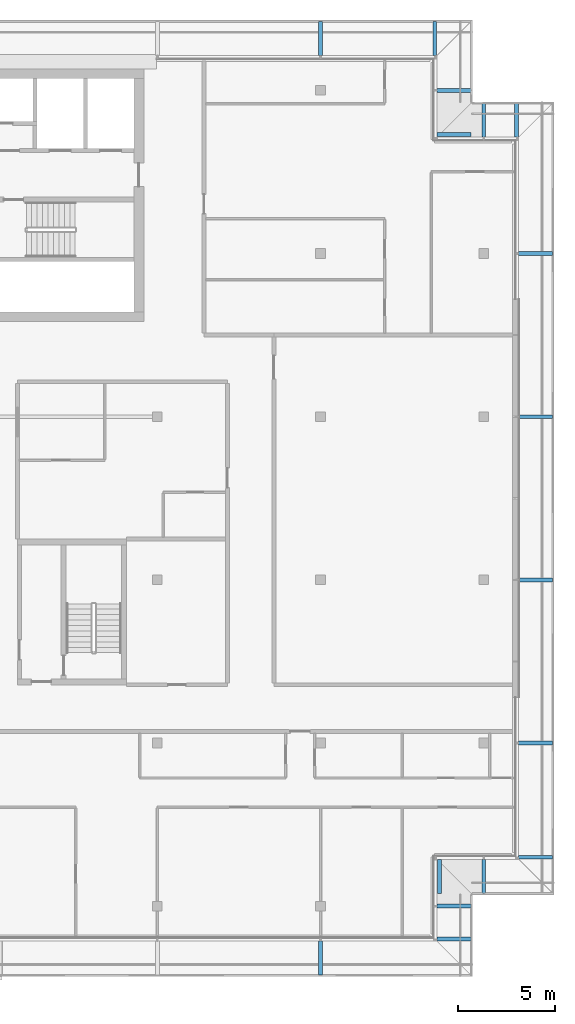
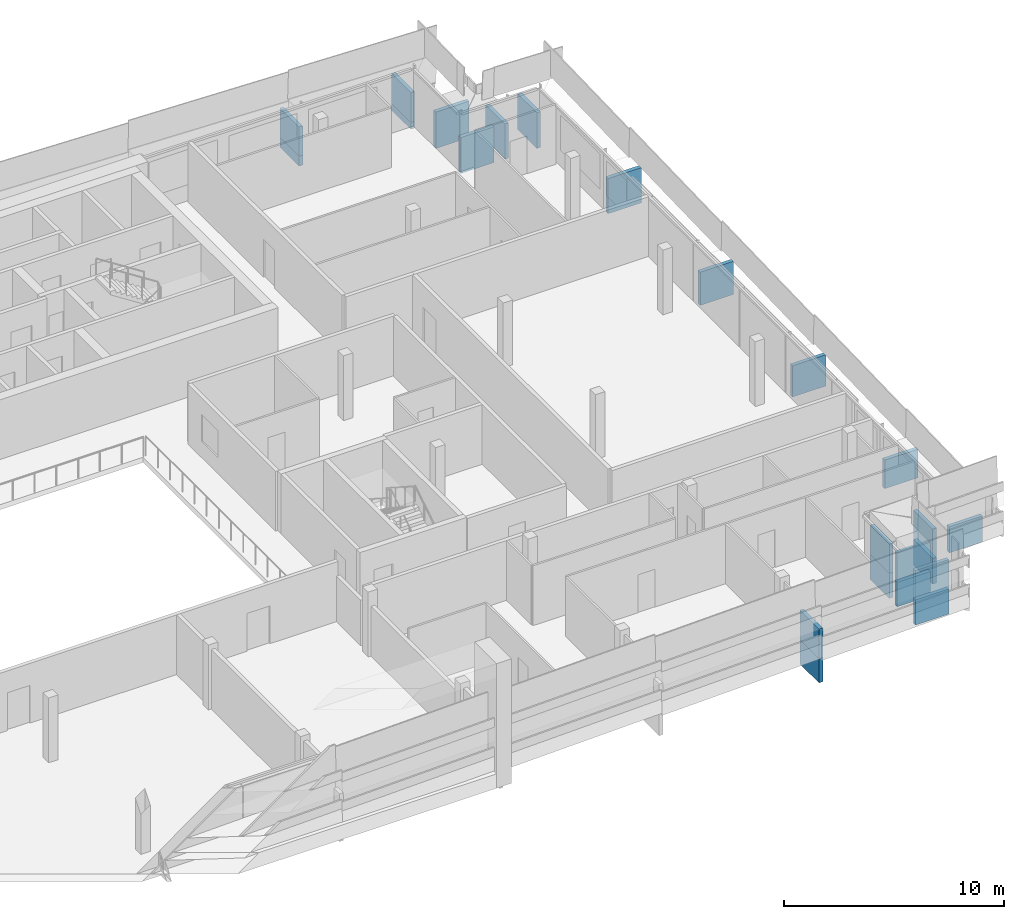
# One storey, part 24 of 33: 23 discrete accessories.
"""IFC4 building model written with IfcOpenShell, lengths in metres."""

from ifc_helpers import new_model, si_unit, direction, frame, origin, origin_2d, place, context, subcontext, project, spatial, rectangle, extrude, element, save


model = new_model("IFC4")

# Units and contexts
model_context = context("Model", 3, precision=1e-05, world=origin(), true_north=direction((0.0, 1.0)))
body_context = subcontext(model_context, "Body", "Model", "MODEL_VIEW")
ifc_project = project(units=[si_unit("LENGTHUNIT", "METRE"), si_unit("AREAUNIT", "SQUARE_METRE"), si_unit("VOLUMEUNIT", "CUBIC_METRE"), si_unit("PLANEANGLEUNIT", "RADIAN"), si_unit("MASSUNIT", "GRAM", prefix="KILO")], contexts=[model_context])

# Site, building, storey
site_placement = place(None, origin())
site = spatial("IfcSite", under=ifc_project, at=site_placement, CompositionType="ELEMENT")
building_placement = place(site_placement, origin())
building = spatial("IfcBuilding", under=site, at=building_placement, Name="Saffron Gate Tower", CompositionType="ELEMENT")
storey_placement = place(building_placement, frame((0.0, 0.0, 263.550048828125)))
storey = spatial("IfcBuildingStorey", under=building, at=storey_placement, Name="L63", CompositionType="ELEMENT", Elevation=263.550048828125)

# Discrete accessories
discrete_accessory_1_placement = place(storey_placement, frame((117.0, 29.125, -0.2802734375), z_axis=(0.0, 0.0, 1.0), x_axis=(1.0, 0.0, 0.0)))
element("IfcDiscreteAccessory", 1, at=discrete_accessory_1_placement, inside=storey, Name="LEDGE rib", PredefinedType="BRACKET", context=body_context, shape_type="SweptSolid", body=[
    extrude(rectangle(XDim=0.199951171875, YDim=1.75, at=origin_2d()), origin(), (0.0, 0.0, 1.0), 1.358154296875),
])
discrete_accessory_2_placement = place(storey_placement, frame((123.875, 30.1201171875, -0.2802734375), z_axis=(0.0, 0.0, 1.0), x_axis=(0.0, 1.0, 0.0)))
element("IfcDiscreteAccessory", 2, at=discrete_accessory_2_placement, inside=storey, Name="LEDGE rib", PredefinedType="BRACKET", context=body_context, shape_type="SweptSolid", body=[
    extrude(rectangle(XDim=0.199951171875, YDim=1.75, at=origin_2d()), origin(), (0.0, 0.0, 1.0), 1.398681640625),
])
discrete_accessory_3_placement = place(storey_placement, frame((123.875, 31.800048828125, -0.280029296875), z_axis=(0.0, 0.0, 1.0), x_axis=(0.0, 1.0, 0.0)))
element("IfcDiscreteAccessory", 3, at=discrete_accessory_3_placement, inside=storey, Name="LEDGE rib", PredefinedType="BRACKET", context=body_context, shape_type="SweptSolid", body=[
    extrude(rectangle(XDim=0.199951171875, YDim=1.75, at=origin_2d()), origin(), (0.0, 0.0, 1.0), 1.35595703125),
])
discrete_accessory_4_placement = place(storey_placement, frame((123.1201171875, 33.324951171875, -0.27978515625), z_axis=(0.0, 0.0, 1.0), x_axis=(1.0, 0.0, 0.0)))
element("IfcDiscreteAccessory", 4, at=discrete_accessory_4_placement, inside=storey, Name="LEDGE rib", PredefinedType="BRACKET", context=body_context, shape_type="SweptSolid", body=[
    extrude(rectangle(XDim=0.199951171875, YDim=1.75, at=origin_2d()), origin(), (0.0, 0.0, 1.0), 1.396728515625),
])
discrete_accessory_5_placement = place(storey_placement, frame((125.39990234375, 33.324951171875, -0.280029296875), z_axis=(0.0, 0.0, 1.0), x_axis=(1.0, 0.0, 0.0)))
element("IfcDiscreteAccessory", 5, at=discrete_accessory_5_placement, inside=storey, Name="LEDGE rib", PredefinedType="BRACKET", context=body_context, shape_type="SweptSolid", body=[
    extrude(rectangle(XDim=0.199951171875, YDim=1.75, at=origin_2d()), origin(), (0.0, 0.0, 1.0), 1.42822265625),
])
discrete_accessory_6_placement = place(storey_placement, frame((128.074951171875, 34.320068359375, -0.2802734375), z_axis=(0.0, 0.0, 1.0), x_axis=(0.0, 1.0, 0.0)))
element("IfcDiscreteAccessory", 6, at=discrete_accessory_6_placement, inside=storey, Name="LEDGE rib", PredefinedType="BRACKET", context=body_context, shape_type="SweptSolid", body=[
    extrude(rectangle(XDim=0.199951171875, YDim=1.75, at=origin_2d()), origin(), (0.0, 0.0, 1.0), 1.442138671875),
])
discrete_accessory_7_placement = place(storey_placement, frame((128.074951171875, 40.199951171875, -0.2802734375), z_axis=(0.0, 0.0, 1.0), x_axis=(0.0, 1.0, 0.0)))
element("IfcDiscreteAccessory", 7, at=discrete_accessory_7_placement, inside=storey, Name="LEDGE rib", PredefinedType="BRACKET", context=body_context, shape_type="SweptSolid", body=[
    extrude(rectangle(XDim=0.199951171875, YDim=1.75, at=origin_2d()), origin(), (0.0, 0.0, 1.0), 1.586669921875),
])
discrete_accessory_8_placement = place(storey_placement, frame((128.074951171875, 48.60009765625, -0.2802734375), z_axis=(0.0, 0.0, 1.0), x_axis=(0.0, 1.0, 0.0)))
element("IfcDiscreteAccessory", 8, at=discrete_accessory_8_placement, inside=storey, Name="LEDGE rib", PredefinedType="BRACKET", context=body_context, shape_type="SweptSolid", body=[
    extrude(rectangle(XDim=0.199951171875, YDim=1.75, at=origin_2d()), origin(), (0.0, 0.0, 1.0), 1.734130859375),
])
discrete_accessory_9_placement = place(storey_placement, frame((128.074951171875, 57.0, -0.280029296875), z_axis=(0.0, 0.0, 1.0), x_axis=(0.0, 1.0, 0.0)))
element("IfcDiscreteAccessory", 9, at=discrete_accessory_9_placement, inside=storey, Name="LEDGE rib", PredefinedType="BRACKET", context=body_context, shape_type="SweptSolid", body=[
    extrude(rectangle(XDim=0.199951171875, YDim=1.75, at=origin_2d()), origin(), (0.0, 0.0, 1.0), 1.84375),
])
discrete_accessory_10_placement = place(storey_placement, frame((128.074951171875, 65.39990234375, -0.2802734375), z_axis=(0.0, 0.0, 1.0), x_axis=(0.0, 1.0, 0.0)))
element("IfcDiscreteAccessory", 10, at=discrete_accessory_10_placement, inside=storey, Name="LEDGE rib", PredefinedType="BRACKET", context=body_context, shape_type="SweptSolid", body=[
    extrude(rectangle(XDim=0.199951171875, YDim=1.75, at=origin_2d()), origin(), (0.0, 0.0, 1.0), 1.953369140625),
])
discrete_accessory_11_placement = place(storey_placement, frame((127.080078125, 72.27490234375, -0.2802734375), z_axis=(0.0, 0.0, 1.0), x_axis=(-1.0, 0.0, 0.0)))
element("IfcDiscreteAccessory", 11, at=discrete_accessory_11_placement, inside=storey, Name="LEDGE rib", PredefinedType="BRACKET", context=body_context, shape_type="SweptSolid", body=[
    extrude(rectangle(XDim=0.199951171875, YDim=1.75, at=origin_2d()), origin(), (0.0, 0.0, 1.0), 1.993896484375),
])
discrete_accessory_12_placement = place(storey_placement, frame((125.39990234375, 72.27490234375, -0.280029296875), z_axis=(0.0, 0.0, 1.0), x_axis=(-1.0, 0.0, 0.0)))
element("IfcDiscreteAccessory", 12, at=discrete_accessory_12_placement, inside=storey, Name="LEDGE rib", PredefinedType="BRACKET", context=body_context, shape_type="SweptSolid", body=[
    extrude(rectangle(XDim=0.199951171875, YDim=1.75, at=origin_2d()), origin(), (0.0, 0.0, 1.0), 1.951171875),
])
discrete_accessory_13_placement = place(storey_placement, frame((123.875, 71.52001953125, -0.27978515625), z_axis=(0.0, 0.0, 1.0), x_axis=(0.0, 1.0, 0.0)))
element("IfcDiscreteAccessory", 13, at=discrete_accessory_13_placement, inside=storey, Name="LEDGE rib", PredefinedType="BRACKET", context=body_context, shape_type="SweptSolid", body=[
    extrude(rectangle(XDim=0.199951171875, YDim=1.75, at=origin_2d()), origin(), (0.0, 0.0, 1.0), 1.991943359375),
])
discrete_accessory_14_placement = place(storey_placement, frame((123.875, 73.800048828125, -0.280029296875), z_axis=(0.0, 0.0, 1.0), x_axis=(0.0, 1.0, 0.0)))
element("IfcDiscreteAccessory", 14, at=discrete_accessory_14_placement, inside=storey, Name="LEDGE rib", PredefinedType="BRACKET", context=body_context, shape_type="SweptSolid", body=[
    extrude(rectangle(XDim=0.199951171875, YDim=1.75, at=origin_2d()), origin(), (0.0, 0.0, 1.0), 2.0234375),
])
discrete_accessory_15_placement = place(storey_placement, frame((122.8798828125, 76.47509765625, -0.2802734375), z_axis=(0.0, 0.0, 1.0), x_axis=(-1.0, 0.0, 0.0)))
element("IfcDiscreteAccessory", 15, at=discrete_accessory_15_placement, inside=storey, Name="LEDGE rib", PredefinedType="BRACKET", context=body_context, shape_type="SweptSolid", body=[
    extrude(rectangle(XDim=0.199951171875, YDim=1.75, at=origin_2d()), origin(), (0.0, 0.0, 1.0), 2.037353515625),
])
discrete_accessory_16_placement = place(storey_placement, frame((117.0, 76.47509765625, -0.2802734375), z_axis=(0.0, 0.0, 1.0), x_axis=(-1.0, 0.0, 0.0)))
element("IfcDiscreteAccessory", 16, at=discrete_accessory_16_placement, inside=storey, Name="LEDGE rib", PredefinedType="BRACKET", context=body_context, shape_type="SweptSolid", body=[
    extrude(rectangle(XDim=0.199951171875, YDim=1.75, at=origin_2d()), origin(), (0.0, 0.0, 1.0), 2.181884765625),
])
discrete_accessory_17_placement = place(storey_placement, frame((122.8798828125, 76.47509765625, -0.280029296875), z_axis=(0.0, 0.0, 1.0), x_axis=(-1.0, 0.0, 0.0)))
element("IfcDiscreteAccessory", 17, at=discrete_accessory_17_placement, inside=storey, Name="LEDGE rib", PredefinedType="BRACKET", context=body_context, shape_type="SweptSolid", body=[
    extrude(rectangle(XDim=0.199951171875, YDim=1.75, at=origin_2d()), origin(), (0.0, 0.0, 1.0), 0.3798828125),
])
discrete_accessory_18_placement = place(storey_placement, frame((117.0, 76.47509765625, -0.280029296875), z_axis=(0.0, 0.0, 1.0), x_axis=(-1.0, 0.0, 0.0)))
element("IfcDiscreteAccessory", 18, at=discrete_accessory_18_placement, inside=storey, Name="LEDGE rib", PredefinedType="BRACKET", context=body_context, shape_type="SweptSolid", body=[
    extrude(rectangle(XDim=0.199951171875, YDim=1.75, at=origin_2d()), origin(), (0.0, 0.0, 1.0), 0.552734375),
])
discrete_accessory_19_placement = place(storey_placement, frame((117.0, 29.125, -0.27978515625), z_axis=(0.0, 0.0, 1.0), x_axis=(1.0, 0.0, 0.0)))
element("IfcDiscreteAccessory", 19, at=discrete_accessory_19_placement, inside=storey, Name="LEDGE rib", PredefinedType="BRACKET", context=body_context, shape_type="SweptSolid", body=[
    extrude(rectangle(XDim=0.199951171875, YDim=1.75, at=origin_2d()), origin(), (0.0, 0.0, 1.0), 2.987060546875),
])
discrete_accessory_20_placement = place(storey_placement, frame((123.875, 30.1201171875, -0.27978515625), z_axis=(0.0, 0.0, 1.0), x_axis=(0.0, 1.0, 0.0)))
element("IfcDiscreteAccessory", 20, at=discrete_accessory_20_placement, inside=storey, Name="LEDGE rib", PredefinedType="BRACKET", context=body_context, shape_type="SweptSolid", body=[
    extrude(rectangle(XDim=0.199951171875, YDim=1.75, at=origin_2d()), origin(), (0.0, 0.0, 1.0), 3.027587890625),
])
discrete_accessory_21_placement = place(storey_placement, frame((123.875, 31.800048828125, -0.2802734375), z_axis=(0.0, 0.0, 1.0), x_axis=(0.0, 1.0, 0.0)))
element("IfcDiscreteAccessory", 21, at=discrete_accessory_21_placement, inside=storey, Name="LEDGE rib", PredefinedType="BRACKET", context=body_context, shape_type="SweptSolid", body=[
    extrude(rectangle(XDim=0.199951171875, YDim=1.75, at=origin_2d()), origin(), (0.0, 0.0, 1.0), 2.985107421875),
])
discrete_accessory_22_placement = place(storey_placement, frame((123.1201171875, 33.324951171875, -0.280029296875), z_axis=(0.0, 0.0, 1.0), x_axis=(1.0, 0.0, 0.0)))
element("IfcDiscreteAccessory", 22, at=discrete_accessory_22_placement, inside=storey, Name="LEDGE rib", PredefinedType="BRACKET", context=body_context, shape_type="SweptSolid", body=[
    extrude(rectangle(XDim=0.199951171875, YDim=1.75, at=origin_2d()), origin(), (0.0, 0.0, 1.0), 3.02587890625),
])
discrete_accessory_23_placement = place(storey_placement, frame((125.39990234375, 33.324951171875, -0.280029296875), z_axis=(0.0, 0.0, 1.0), x_axis=(1.0, 0.0, 0.0)))
element("IfcDiscreteAccessory", 23, at=discrete_accessory_23_placement, inside=storey, Name="LEDGE rib", PredefinedType="BRACKET", context=body_context, shape_type="SweptSolid", body=[
    extrude(rectangle(XDim=0.199951171875, YDim=1.75, at=origin_2d()), origin(), (0.0, 0.0, 1.0), 3.05712890625),
])

save(model, "model.ifc")
